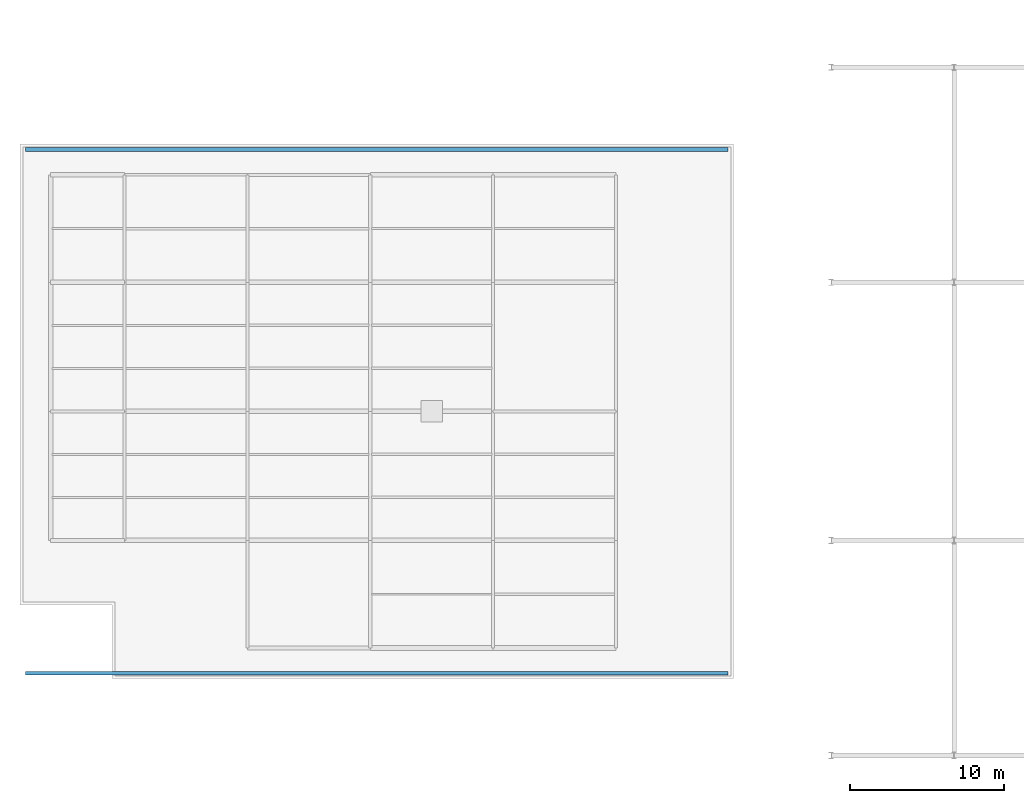
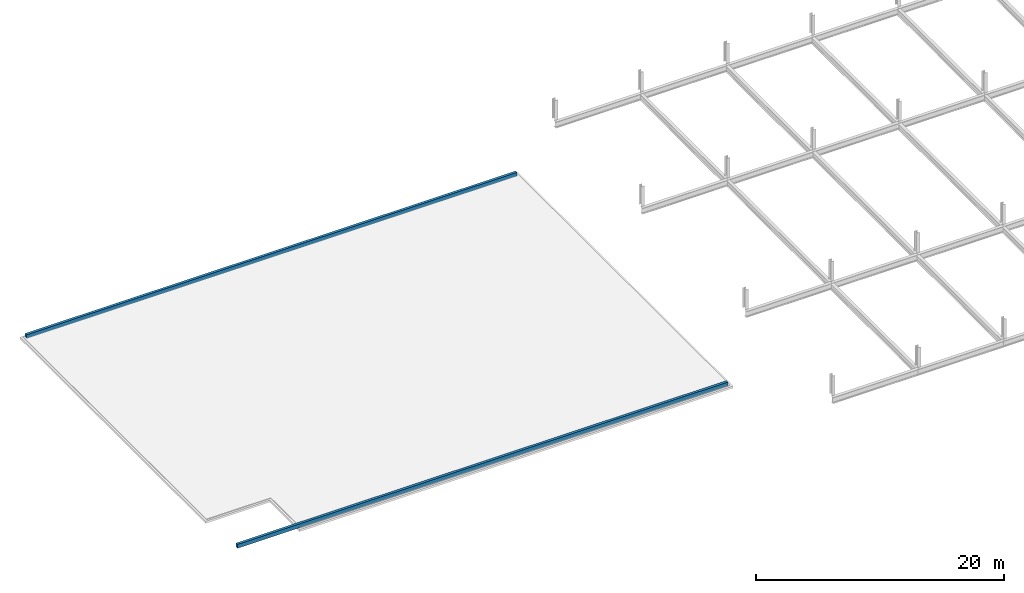
# One storey, part 19 of 25: 2 walls.
"""IFC4 building model written with IfcOpenShell, lengths in metres."""

from ifc_helpers import new_model, si_unit, direction, frame, frame_2d, origin, place, context, subcontext, project, spatial, rectangle, extrude, material, layer, layer_set, type_object, element, save


model = new_model("IFC4")

# Units and contexts
model_context = context("Model", 3, precision=1e-05, world=origin(), true_north=direction((0.0, 1.0)))
body_context = subcontext(model_context, "Body", "Model", "MODEL_VIEW")
ifc_project = project(units=[si_unit("LENGTHUNIT", "METRE"), si_unit("AREAUNIT", "SQUARE_METRE"), si_unit("VOLUMEUNIT", "CUBIC_METRE"), si_unit("PLANEANGLEUNIT", "RADIAN"), si_unit("MASSUNIT", "GRAM", prefix="KILO")], contexts=[model_context])

# Site, building, storey
site_placement = place(None, origin())
site = spatial("IfcSite", under=ifc_project, at=site_placement, CompositionType="ELEMENT")
building_placement = place(site_placement, origin())
building = spatial("IfcBuilding", under=site, at=building_placement, Name="Vekula Escarpment Museum", CompositionType="ELEMENT")
storey_placement = place(building_placement, frame((0.0, 0.0, 26.39990234375)))
storey = spatial("IfcBuildingStorey", under=building, at=storey_placement, Name="L06", CompositionType="ELEMENT", Elevation=26.39990234375)

# Walls
ifc_material = material(Name="Precast concrete C40/50", Category="concrete")
ifc_layer = layer(ifc_material, 0.239990234375)
ifc_layer_set = layer_set([ifc_layer], Name="Precast concrete C40/50")
wall_type = type_object("IfcWallType", Name="WL-PAR-240", PredefinedType="PARAPET", material=ifc_layer_set)
for number, where, z_axis, x_axis, name in (
    (1, (17.550048828125, 50.949951171875, 0.0), (0.0, 0.0, 1.0), (1.0, 0.0, 0.0), "Sacak Eave Fascia Coping L06-003"),
    (2, (17.550048828125, 85.050048828125, 0.0), (0.0, 0.0, 1.0), (1.0, 0.0, 0.0), "Sacak Eave Fascia Coping L06-004"),
):
    element("IfcWall", number, at=place(storey_placement, frame(where, z_axis=z_axis, x_axis=x_axis)), inside=storey, type_object=wall_type, Name=name, PredefinedType="PARAPET", context=body_context, shape_type="SweptSolid", body=[
        extrude(rectangle(XDim=45.75, YDim=0.239990234375, at=frame_2d((22.875, 0.0))), origin(), (0.0, 0.0, 1.0), 0.380126953125),
    ])

save(model, "model.ifc")
